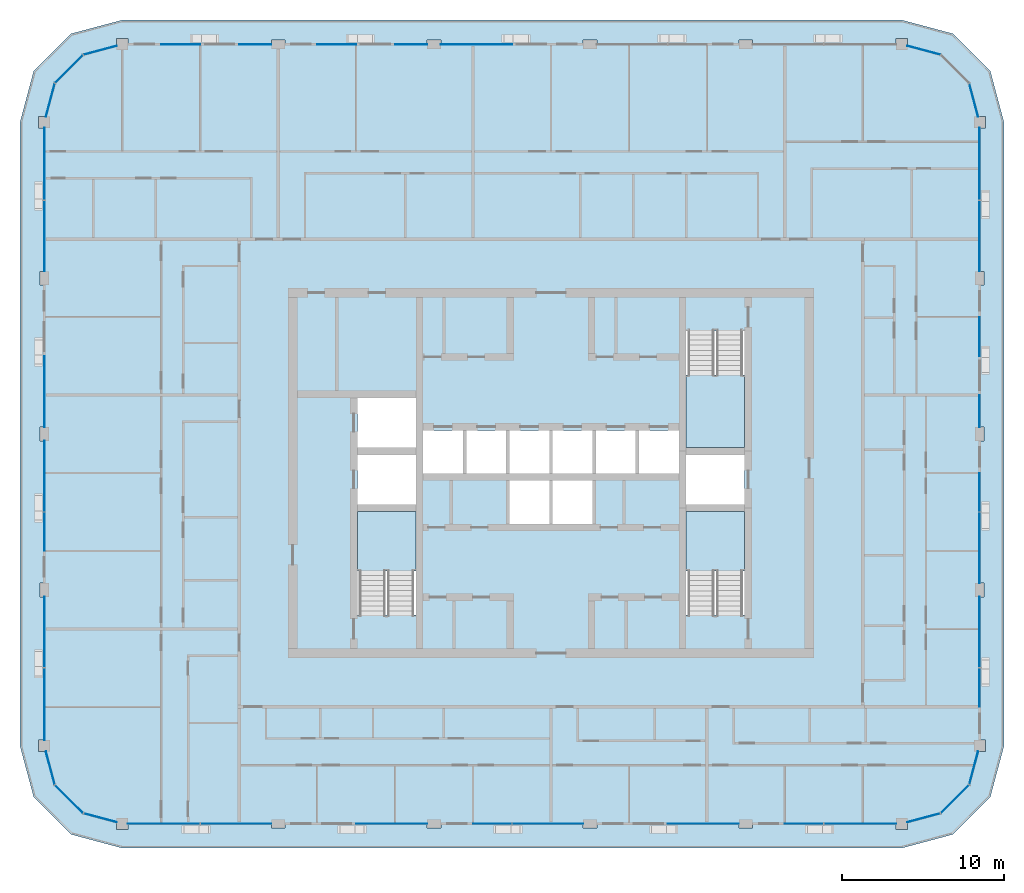
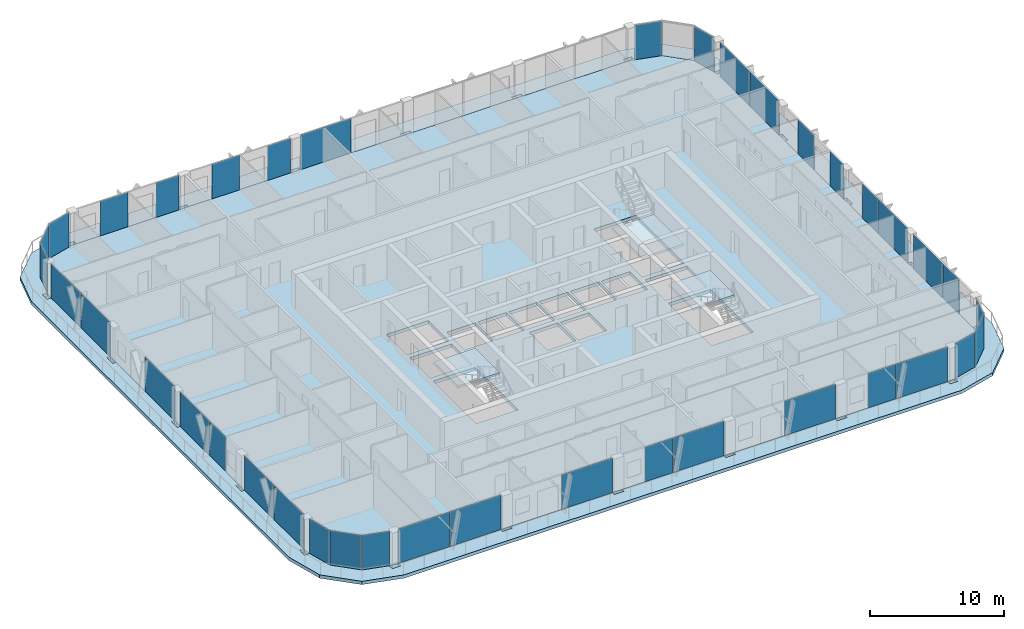
# One storey, part 7 of 21: 39 plates, 5 slabs, 23 elements without a shape of their own.
"""IFC4 building model written with IfcOpenShell, lengths in metres."""

from ifc_helpers import new_model, si_unit, direction, frame, origin, origin_2d, place, context, subcontext, project, spatial, polyline, rectangle, outline, extrude, material, layer, layer_set, type_object, element, aggregate, save


model = new_model("IFC4")

# Units and contexts
model_context = context("Model", 3, precision=1e-05, world=origin(), true_north=direction((0.0, 1.0)))
body_context = subcontext(model_context, "Body", "Model", "MODEL_VIEW")
ifc_project = project(units=[si_unit("LENGTHUNIT", "METRE"), si_unit("AREAUNIT", "SQUARE_METRE"), si_unit("VOLUMEUNIT", "CUBIC_METRE"), si_unit("PLANEANGLEUNIT", "RADIAN"), si_unit("MASSUNIT", "GRAM", prefix="KILO")], contexts=[model_context])

# Site, building, storey
site_placement = place(None, origin())
site = spatial("IfcSite", under=ifc_project, at=site_placement, CompositionType="ELEMENT")
building_placement = place(site_placement, origin())
building = spatial("IfcBuilding", under=site, at=building_placement, Name="Madar Terraces", CompositionType="ELEMENT")
storey_placement = place(building_placement, frame((0.0, 0.0, 245.699951171875)))
storey = spatial("IfcBuildingStorey", under=building, at=storey_placement, Name="L64", CompositionType="ELEMENT", Elevation=245.699951171875)

# Slabs
ifc_material_1 = material(Name="Concrete C50/60", Category="concrete")
ifc_layer_1 = layer(ifc_material_1, 0.300048828125)
ifc_layer_set_1 = layer_set([ifc_layer_1], Name="Balcony band 300")
slab_type_1 = type_object("IfcSlabType", Name="Balcony band 300", PredefinedType="FLOOR", material=ifc_layer_set_1)
slab_1_placement = place(storey_placement, frame((0.0, 0.0, -0.300048828125)))
element("IfcSlab", 1, at=slab_1_placement, inside=storey, type_object=slab_type_1, Name="Balcony band", PredefinedType="FLOOR", context=body_context, shape_type="SweptSolid", body=[
    extrude(outline(polyline([(4.800048828125, 3.300048828125), (1.64990234375, 4.14404296875), (-0.656005859375, 6.449951171875), (-1.5, 9.60009765625), (-1.5, 48.0), (-0.656005859375, 51.14990234375), (1.64990234375, 53.4560546875), (4.800048828125, 54.300048828125), (52.800048828125, 54.300048828125), (55.949951171875, 53.4560546875), (58.256103515625, 51.14990234375), (59.10009765625, 48.0), (59.10009765625, 9.60009765625), (58.256103515625, 6.449951171875), (55.949951171875, 4.14404296875), (52.800048828125, 3.300048828125), (4.800048828125, 3.300048828125)]), holes=[polyline([(5.14990234375, 4.449951171875), (5.14990234375, 4.800048828125), (13.97509765625, 4.800048828125), (13.97509765625, 4.52490234375), (14.824951171875, 4.52490234375), (14.824951171875, 4.800048828125), (23.574951171875, 4.800048828125), (23.574951171875, 4.52490234375), (24.425048828125, 4.52490234375), (24.425048828125, 4.800048828125), (33.175048828125, 4.800048828125), (33.175048828125, 4.52490234375), (34.02490234375, 4.52490234375), (34.02490234375, 4.800048828125), (42.77490234375, 4.800048828125), (42.77490234375, 4.52490234375), (43.625, 4.52490234375), (43.625, 4.800048828125), (52.449951171875, 4.800048828125), (52.449951171875, 4.449951171875), (53.14990234375, 4.449951171875), (53.14990234375, 4.893798828125), (55.199951171875, 5.443115234375), (56.956787109375, 7.199951171875), (57.506103515625, 9.25), (57.949951171875, 9.25), (57.949951171875, 9.949951171875), (57.60009765625, 9.949951171875), (57.60009765625, 18.77490234375), (57.875, 18.77490234375), (57.875, 19.625), (57.60009765625, 19.625), (57.60009765625, 28.375), (57.875, 28.375), (57.875, 29.22509765625), (57.60009765625, 29.22509765625), (57.60009765625, 37.97509765625), (57.875, 37.97509765625), (57.875, 38.824951171875), (57.60009765625, 38.824951171875), (57.60009765625, 47.64990234375), (57.949951171875, 47.64990234375), (57.949951171875, 48.35009765625), (57.506103515625, 48.35009765625), (56.956787109375, 50.39990234375), (55.199951171875, 52.156982421875), (53.14990234375, 52.706298828125), (53.14990234375, 53.14990234375), (52.449951171875, 53.14990234375), (52.449951171875, 52.800048828125), (43.625, 52.800048828125), (43.625, 53.074951171875), (42.77490234375, 53.074951171875), (42.77490234375, 52.800048828125), (34.02490234375, 52.800048828125), (34.02490234375, 53.074951171875), (33.175048828125, 53.074951171875), (33.175048828125, 52.800048828125), (24.425048828125, 52.800048828125), (24.425048828125, 53.074951171875), (23.574951171875, 53.074951171875), (23.574951171875, 52.800048828125), (14.824951171875, 52.800048828125), (14.824951171875, 53.074951171875), (13.97509765625, 53.074951171875), (13.97509765625, 52.800048828125), (5.14990234375, 52.800048828125), (5.14990234375, 53.14990234375), (4.449951171875, 53.14990234375), (4.449951171875, 52.706298828125), (2.39990234375, 52.156982421875), (0.64306640625, 50.39990234375), (0.09375, 48.35009765625), (-0.35009765625, 48.35009765625), (-0.35009765625, 47.64990234375), (0.0, 47.64990234375), (0.0, 38.824951171875), (-0.27490234375, 38.824951171875), (-0.27490234375, 37.97509765625), (0.0, 37.97509765625), (0.0, 29.22509765625), (-0.27490234375, 29.22509765625), (-0.27490234375, 28.375), (0.0, 28.375), (0.0, 19.625), (-0.27490234375, 19.625), (-0.27490234375, 18.77490234375), (0.0, 18.77490234375), (0.0, 9.949951171875), (-0.35009765625, 9.949951171875), (-0.35009765625, 9.25), (0.09375, 9.25), (0.64306640625, 7.199951171875), (2.39990234375, 5.443115234375), (4.449951171875, 4.893798828125), (4.449951171875, 4.449951171875), (5.14990234375, 4.449951171875)])]), origin(), (0.0, 0.0, 1.0), 0.300048828125),
])
ifc_material_2 = material(Name="Concrete C50/60", Category="concrete")
ifc_layer_2 = layer(ifc_material_2, 0.300048828125)
ifc_layer_set_2 = layer_set([ifc_layer_2], Name="FS2 PT flat slab 300")
slab_type_2 = type_object("IfcSlabType", Name="FS2 PT flat slab 300", PredefinedType="FLOOR", material=ifc_layer_set_2)
slab_2_placement = place(storey_placement, frame((0.0, 0.0, -0.300048828125)))
element("IfcSlab", 2, at=slab_2_placement, inside=storey, type_object=slab_type_2, Name="Floor slab L64 (1)", PredefinedType="FLOOR", context=body_context, shape_type="SweptSolid", body=[
    extrude(outline(polyline([(52.800048828125, 4.800048828125), (55.199951171875, 5.443115234375), (56.95703125, 7.199951171875), (57.60009765625, 9.60009765625), (57.60009765625, 48.0), (56.95703125, 50.39990234375), (55.199951171875, 52.156982421875), (52.800048828125, 52.800048828125), (4.800048828125, 52.800048828125), (2.39990234375, 52.156982421875), (0.64306640625, 50.39990234375), (0.0, 48.0), (0.0, 9.60009765625), (0.64306640625, 7.199951171875), (2.39990234375, 5.443115234375), (4.800048828125, 4.800048828125), (52.800048828125, 4.800048828125)]), holes=[polyline([(22.875, 17.64990234375), (19.27490234375, 17.64990234375), (19.27490234375, 24.02490234375), (22.875, 24.02490234375), (22.875, 17.64990234375)]), polyline([(28.6416015625, 23.27490234375), (28.6416015625, 25.925048828125), (31.10009765625, 25.925048828125), (31.10009765625, 23.27490234375), (28.6416015625, 23.27490234375)]), polyline([(19.27490234375, 24.47509765625), (19.27490234375, 27.52490234375), (22.875, 27.52490234375), (22.875, 24.47509765625), (19.27490234375, 24.47509765625)]), polyline([(23.324951171875, 26.375), (23.324951171875, 29.02490234375), (25.783447265625, 29.02490234375), (25.783447265625, 26.375), (23.324951171875, 26.375)]), polyline([(25.9833984375, 26.375), (25.9833984375, 29.02490234375), (28.441650390625, 29.02490234375), (28.441650390625, 26.375), (25.9833984375, 26.375)]), polyline([(28.6416015625, 26.375), (28.6416015625, 29.02490234375), (31.10009765625, 29.02490234375), (31.10009765625, 26.375), (28.6416015625, 26.375)]), polyline([(19.27490234375, 27.97509765625), (19.27490234375, 31.02490234375), (22.875, 31.02490234375), (22.875, 27.97509765625), (19.27490234375, 27.97509765625)]), polyline([(43.125, 17.64990234375), (39.52490234375, 17.64990234375), (39.52490234375, 24.02490234375), (43.125, 24.02490234375), (43.125, 17.64990234375)]), polyline([(31.300048828125, 23.27490234375), (31.300048828125, 25.925048828125), (33.75830078125, 25.925048828125), (33.75830078125, 23.27490234375), (31.300048828125, 23.27490234375)]), polyline([(39.52490234375, 24.47509765625), (39.52490234375, 27.52490234375), (43.125, 27.52490234375), (43.125, 24.47509765625), (39.52490234375, 24.47509765625)]), polyline([(31.300048828125, 26.375), (31.300048828125, 29.02490234375), (33.75830078125, 29.02490234375), (33.75830078125, 26.375), (31.300048828125, 26.375)]), polyline([(33.958251953125, 26.375), (33.958251953125, 29.02490234375), (36.416748046875, 29.02490234375), (36.416748046875, 26.375), (33.958251953125, 26.375)]), polyline([(36.61669921875, 26.375), (36.61669921875, 29.02490234375), (39.074951171875, 29.02490234375), (39.074951171875, 26.375), (36.61669921875, 26.375)]), polyline([(39.52490234375, 27.97509765625), (39.52490234375, 35.14990234375), (43.125, 35.14990234375), (43.125, 27.97509765625), (39.52490234375, 27.97509765625)])]), origin(), (0.0, 0.0, 1.0), 0.300048828125),
])

# Curtain wall, plates
ifc_material_3 = material(Name="Glass, ceramic frit dark grey, with black aluminium frame", Category="aluminium")
ifc_layer_3 = layer(ifc_material_3, 0.199951171875)
ifc_layer_set_3 = layer_set([ifc_layer_3], Name="Facade curtain wall, fritted glass")
curtain_wall_type = type_object("IfcCurtainWallType", Name="Facade curtain wall, fritted glass", PredefinedType="NOTDEFINED", material=ifc_layer_set_3)
curtain_wall_1_placement = place(storey_placement, origin())
curtain_wall_1 = element("IfcCurtainWall", 3, at=curtain_wall_1_placement, inside=storey, type_object=curtain_wall_type, Name="Outer skin curtain wall south bay 1", PredefinedType="NOTDEFINED")
ifc_material_4 = material(Name="Glass, ceramic frit dark grey", Category="glass")
ifc_layer_4 = layer(ifc_material_4, 0.028076171875)
ifc_layer_set_4 = layer_set([ifc_layer_4], Name="Facade glass panel 28")
plate_type = type_object("IfcPlateType", Name="Facade glass panel 28", PredefinedType="CURTAIN_PANEL", material=ifc_layer_set_4)
plate_1_placement = place(storey_placement, frame((7.360107421875, 4.800048828125, 0.0), z_axis=(0.0, 0.0, 1.0), x_axis=(1.0, 0.0, 0.0)))
plate_1 = element("IfcPlate", 4, at=plate_1_placement, type_object=plate_type, Name="Panel 1", PredefinedType="CURTAIN_PANEL", context=body_context, shape_type="SweptSolid", body=[
    extrude(rectangle(XDim=4.419921875, YDim=0.028076171875, at=origin_2d()), origin(), (0.0, 0.0, 1.0), 3.139892578125),
])
plate_2_placement = place(storey_placement, frame((11.802490234375, 4.800048828125, 0.0), z_axis=(0.0, 0.0, 1.0), x_axis=(1.0, 0.0, 0.0)))
plate_2 = element("IfcPlate", 5, at=plate_2_placement, type_object=plate_type, Name="Panel 2", PredefinedType="CURTAIN_PANEL", context=body_context, shape_type="SweptSolid", body=[
    extrude(rectangle(XDim=4.344970703125, YDim=0.028076171875, at=origin_2d()), origin(), (0.0, 0.0, 1.0), 3.139892578125),
])
aggregate(curtain_wall_1, [plate_1, plate_2])

# Curtain wall, plate
curtain_wall_2_placement = place(storey_placement, origin())
curtain_wall_2 = element("IfcCurtainWall", 6, at=curtain_wall_2_placement, inside=storey, type_object=curtain_wall_type, Name="Outer skin curtain wall south bay 2", PredefinedType="NOTDEFINED")
plate_3_placement = place(storey_placement, frame((21.387451171875, 4.800048828125, 0.0), z_axis=(0.0, 0.0, 1.0), x_axis=(1.0, 0.0, 0.0)))
plate_3 = element("IfcPlate", 7, at=plate_3_placement, type_object=plate_type, Name="Panel 1", PredefinedType="CURTAIN_PANEL", context=body_context, shape_type="SweptSolid", body=[
    extrude(rectangle(XDim=4.375, YDim=0.028076171875, at=origin_2d()), origin(), (0.0, 0.0, 1.0), 3.139892578125),
])
aggregate(curtain_wall_2, [plate_3])

# Curtain wall, plates
curtain_wall_3_placement = place(storey_placement, origin())
curtain_wall_3 = element("IfcCurtainWall", 8, at=curtain_wall_3_placement, inside=storey, type_object=curtain_wall_type, Name="Outer skin curtain wall south bay 3", PredefinedType="NOTDEFINED")
plate_4_placement = place(storey_placement, frame((27.5849609375, 4.800048828125, 0.0), z_axis=(0.0, 0.0, 1.0), x_axis=(1.0, 0.0, 0.0)))
plate_4 = element("IfcPlate", 9, at=plate_4_placement, type_object=plate_type, Name="Panel 1", PredefinedType="CURTAIN_PANEL", context=body_context, shape_type="SweptSolid", body=[
    extrude(rectangle(XDim=2.3701171875, YDim=0.028076171875, at=origin_2d()), origin(), (0.0, 0.0, 1.0), 3.139892578125),
])
plate_5_placement = place(storey_placement, frame((31.00244140625, 4.800048828125, 0.0), z_axis=(0.0, 0.0, 1.0), x_axis=(1.0, 0.0, 0.0)))
plate_5 = element("IfcPlate", 10, at=plate_5_placement, type_object=plate_type, Name="Panel 2", PredefinedType="CURTAIN_PANEL", context=body_context, shape_type="SweptSolid", body=[
    extrude(rectangle(XDim=4.344970703125, YDim=0.028076171875, at=origin_2d()), origin(), (0.0, 0.0, 1.0), 3.139892578125),
])
aggregate(curtain_wall_3, [plate_4, plate_5])

# Curtain wall, plate
curtain_wall_4_placement = place(storey_placement, origin())
curtain_wall_4 = element("IfcCurtainWall", 11, at=curtain_wall_4_placement, inside=storey, type_object=curtain_wall_type, Name="Outer skin curtain wall south bay 4", PredefinedType="NOTDEFINED")
plate_6_placement = place(storey_placement, frame((40.58740234375, 4.800048828125, 0.0), z_axis=(0.0, 0.0, 1.0), x_axis=(1.0, 0.0, 0.0)))
plate_6 = element("IfcPlate", 12, at=plate_6_placement, type_object=plate_type, Name="Panel 1", PredefinedType="CURTAIN_PANEL", context=body_context, shape_type="SweptSolid", body=[
    extrude(rectangle(XDim=4.375, YDim=0.028076171875, at=origin_2d()), origin(), (0.0, 0.0, 1.0), 3.139892578125),
])
aggregate(curtain_wall_4, [plate_6])

# Curtain wall, plates
curtain_wall_5_placement = place(storey_placement, origin())
curtain_wall_5 = element("IfcCurtainWall", 13, at=curtain_wall_5_placement, inside=storey, type_object=curtain_wall_type, Name="Outer skin curtain wall south bay 5", PredefinedType="NOTDEFINED")
plate_7_placement = place(storey_placement, frame((46.784912109375, 4.800048828125, 0.0), z_axis=(0.0, 0.0, 1.0), x_axis=(1.0, 0.0, 0.0)))
plate_7 = element("IfcPlate", 14, at=plate_7_placement, type_object=plate_type, Name="Panel 1", PredefinedType="CURTAIN_PANEL", context=body_context, shape_type="SweptSolid", body=[
    extrude(rectangle(XDim=2.3701171875, YDim=0.028076171875, at=origin_2d()), origin(), (0.0, 0.0, 1.0), 3.139892578125),
])
plate_8_placement = place(storey_placement, frame((50.239990234375, 4.800048828125, 0.0), z_axis=(0.0, 0.0, 1.0), x_axis=(1.0, 0.0, 0.0)))
plate_8 = element("IfcPlate", 15, at=plate_8_placement, type_object=plate_type, Name="Panel 2", PredefinedType="CURTAIN_PANEL", context=body_context, shape_type="SweptSolid", body=[
    extrude(rectangle(XDim=4.419921875, YDim=0.028076171875, at=origin_2d()), origin(), (0.0, 0.0, 1.0), 3.139892578125),
])
aggregate(curtain_wall_5, [plate_7, plate_8])

curtain_wall_6_placement = place(storey_placement, origin())
curtain_wall_6 = element("IfcCurtainWall", 16, at=curtain_wall_6_placement, inside=storey, type_object=curtain_wall_type, Name="Outer skin curtain wall east bay 1", PredefinedType="NOTDEFINED")
plate_9_placement = place(storey_placement, frame((57.60009765625, 13.18505859375, 0.0), z_axis=(0.0, 0.0, 1.0), x_axis=(0.0, 1.0, 0.0)))
plate_9 = element("IfcPlate", 17, at=plate_9_placement, type_object=plate_type, Name="Panel 1", PredefinedType="CURTAIN_PANEL", context=body_context, shape_type="SweptSolid", body=[
    extrude(rectangle(XDim=2.3701171875, YDim=0.028076171875, at=origin_2d()), origin(), (0.0, 0.0, 1.0), 3.139892578125),
])
plate_10_placement = place(storey_placement, frame((57.60009765625, 16.6025390625, 0.0), z_axis=(0.0, 0.0, 1.0), x_axis=(0.0, 1.0, 0.0)))
plate_10 = element("IfcPlate", 18, at=plate_10_placement, type_object=plate_type, Name="Panel 2", PredefinedType="CURTAIN_PANEL", context=body_context, shape_type="SweptSolid", body=[
    extrude(rectangle(XDim=4.344970703125, YDim=0.028076171875, at=origin_2d()), origin(), (0.0, 0.0, 1.0), 3.139892578125),
])
aggregate(curtain_wall_6, [plate_9, plate_10])

curtain_wall_7_placement = place(storey_placement, origin())
curtain_wall_7 = element("IfcCurtainWall", 19, at=curtain_wall_7_placement, inside=storey, type_object=curtain_wall_type, Name="Outer skin curtain wall east bay 2", PredefinedType="NOTDEFINED")
plate_11_placement = place(storey_placement, frame((57.60009765625, 21.797607421875, 0.0), z_axis=(0.0, 0.0, 1.0), x_axis=(0.0, 1.0, 0.0)))
plate_11 = element("IfcPlate", 20, at=plate_11_placement, type_object=plate_type, Name="Panel 1", PredefinedType="CURTAIN_PANEL", context=body_context, shape_type="SweptSolid", body=[
    extrude(rectangle(XDim=4.344970703125, YDim=0.028076171875, at=origin_2d()), origin(), (0.0, 0.0, 1.0), 3.139892578125),
])
plate_12_placement = place(storey_placement, frame((57.60009765625, 25.215087890625, 0.0), z_axis=(0.0, 0.0, 1.0), x_axis=(0.0, 1.0, 0.0)))
plate_12 = element("IfcPlate", 21, at=plate_12_placement, type_object=plate_type, Name="Panel 2", PredefinedType="CURTAIN_PANEL", context=body_context, shape_type="SweptSolid", body=[
    extrude(rectangle(XDim=2.3701171875, YDim=0.028076171875, at=origin_2d()), origin(), (0.0, 0.0, 1.0), 3.139892578125),
])
aggregate(curtain_wall_7, [plate_11, plate_12])

curtain_wall_8_placement = place(storey_placement, origin())
curtain_wall_8 = element("IfcCurtainWall", 22, at=curtain_wall_8_placement, inside=storey, type_object=curtain_wall_type, Name="Outer skin curtain wall east bay 3", PredefinedType="NOTDEFINED")
plate_13_placement = place(storey_placement, frame((57.60009765625, 30.21240234375, 0.0), z_axis=(0.0, 0.0, 1.0), x_axis=(0.0, 1.0, 0.0)))
plate_13 = element("IfcPlate", 23, at=plate_13_placement, type_object=plate_type, Name="Panel 1", PredefinedType="CURTAIN_PANEL", context=body_context, shape_type="SweptSolid", body=[
    extrude(rectangle(XDim=1.97509765625, YDim=0.028076171875, at=origin_2d()), origin(), (0.0, 0.0, 1.0), 3.139892578125),
])
plate_14_placement = place(storey_placement, frame((57.60009765625, 34.800048828125, 0.0), z_axis=(0.0, 0.0, 1.0), x_axis=(0.0, 1.0, 0.0)))
plate_14 = element("IfcPlate", 24, at=plate_14_placement, type_object=plate_type, Name="Panel 2", PredefinedType="CURTAIN_PANEL", context=body_context, shape_type="SweptSolid", body=[
    extrude(rectangle(XDim=2.39990234375, YDim=0.028076171875, at=origin_2d()), origin(), (0.0, 0.0, 1.0), 3.139892578125),
])
aggregate(curtain_wall_8, [plate_13, plate_14])

curtain_wall_9_placement = place(storey_placement, origin())
curtain_wall_9 = element("IfcCurtainWall", 25, at=curtain_wall_9_placement, inside=storey, type_object=curtain_wall_type, Name="Outer skin curtain wall east bay 4", PredefinedType="NOTDEFINED")
plate_15_placement = place(storey_placement, frame((57.60009765625, 40.99755859375, 0.0), z_axis=(0.0, 0.0, 1.0), x_axis=(0.0, 1.0, 0.0)))
plate_15 = element("IfcPlate", 26, at=plate_15_placement, type_object=plate_type, Name="Panel 1", PredefinedType="CURTAIN_PANEL", context=body_context, shape_type="SweptSolid", body=[
    extrude(rectangle(XDim=4.344970703125, YDim=0.028076171875, at=origin_2d()), origin(), (0.0, 0.0, 1.0), 3.139892578125),
])
plate_16_placement = place(storey_placement, frame((57.60009765625, 45.43994140625, 0.0), z_axis=(0.0, 0.0, 1.0), x_axis=(0.0, 1.0, 0.0)))
plate_16 = element("IfcPlate", 27, at=plate_16_placement, type_object=plate_type, Name="Panel 2", PredefinedType="CURTAIN_PANEL", context=body_context, shape_type="SweptSolid", body=[
    extrude(rectangle(XDim=4.419921875, YDim=0.028076171875, at=origin_2d()), origin(), (0.0, 0.0, 1.0), 3.139892578125),
])
aggregate(curtain_wall_9, [plate_15, plate_16])

# Curtain wall, plate
curtain_wall_10_placement = place(storey_placement, origin())
curtain_wall_10 = element("IfcCurtainWall", 28, at=curtain_wall_10_placement, inside=storey, type_object=curtain_wall_type, Name="Outer skin curtain wall north bay 3", PredefinedType="NOTDEFINED")
plate_17_placement = place(storey_placement, frame((26.612548828125, 52.800048828125, 0.0), z_axis=(0.0, 0.0, 1.0), x_axis=(-1.0, 0.0, 0.0)))
plate_17 = element("IfcPlate", 29, at=plate_17_placement, type_object=plate_type, Name="Panel 1", PredefinedType="CURTAIN_PANEL", context=body_context, shape_type="SweptSolid", body=[
    extrude(rectangle(XDim=4.375, YDim=0.028076171875, at=origin_2d()), origin(), (0.0, 0.0, 1.0), 3.139892578125),
])
aggregate(curtain_wall_10, [plate_17])

# Curtain wall, plates
curtain_wall_11_placement = place(storey_placement, origin())
curtain_wall_11 = element("IfcCurtainWall", 30, at=curtain_wall_11_placement, inside=storey, type_object=curtain_wall_type, Name="Outer skin curtain wall north bay 4", PredefinedType="NOTDEFINED")
plate_18_placement = place(storey_placement, frame((22.58740234375, 52.800048828125, 0.0), z_axis=(0.0, 0.0, 1.0), x_axis=(-1.0, 0.0, 0.0)))
plate_18 = element("IfcPlate", 31, at=plate_18_placement, type_object=plate_type, Name="Panel 1", PredefinedType="CURTAIN_PANEL", context=body_context, shape_type="SweptSolid", body=[
    extrude(rectangle(XDim=1.97509765625, YDim=0.028076171875, at=origin_2d()), origin(), (0.0, 0.0, 1.0), 3.139892578125),
])
plate_19_placement = place(storey_placement, frame((18.0, 52.800048828125, 0.0), z_axis=(0.0, 0.0, 1.0), x_axis=(-1.0, 0.0, 0.0)))
plate_19 = element("IfcPlate", 32, at=plate_19_placement, type_object=plate_type, Name="Panel 2", PredefinedType="CURTAIN_PANEL", context=body_context, shape_type="SweptSolid", body=[
    extrude(rectangle(XDim=2.39990234375, YDim=0.028076171875, at=origin_2d()), origin(), (0.0, 0.0, 1.0), 3.139892578125),
])
aggregate(curtain_wall_11, [plate_18, plate_19])

curtain_wall_12_placement = place(storey_placement, origin())
curtain_wall_12 = element("IfcCurtainWall", 33, at=curtain_wall_12_placement, inside=storey, type_object=curtain_wall_type, Name="Outer skin curtain wall north bay 5", PredefinedType="NOTDEFINED")
plate_20_placement = place(storey_placement, frame((12.987548828125, 52.800048828125, 0.0), z_axis=(0.0, 0.0, 1.0), x_axis=(-1.0, 0.0, 0.0)))
plate_20 = element("IfcPlate", 34, at=plate_20_placement, type_object=plate_type, Name="Panel 1", PredefinedType="CURTAIN_PANEL", context=body_context, shape_type="SweptSolid", body=[
    extrude(rectangle(XDim=1.97509765625, YDim=0.028076171875, at=origin_2d()), origin(), (0.0, 0.0, 1.0), 3.139892578125),
])
plate_21_placement = place(storey_placement, frame((8.39990234375, 52.800048828125, 0.0), z_axis=(0.0, 0.0, 1.0), x_axis=(-1.0, 0.0, 0.0)))
plate_21 = element("IfcPlate", 35, at=plate_21_placement, type_object=plate_type, Name="Panel 2", PredefinedType="CURTAIN_PANEL", context=body_context, shape_type="SweptSolid", body=[
    extrude(rectangle(XDim=2.39990234375, YDim=0.028076171875, at=origin_2d()), origin(), (0.0, 0.0, 1.0), 3.139892578125),
])
aggregate(curtain_wall_12, [plate_20, plate_21])

curtain_wall_13_placement = place(storey_placement, origin())
curtain_wall_13 = element("IfcCurtainWall", 36, at=curtain_wall_13_placement, inside=storey, type_object=curtain_wall_type, Name="Outer skin curtain wall west bay 1", PredefinedType="NOTDEFINED")
plate_22_placement = place(storey_placement, frame((0.0, 45.43994140625, 0.0), z_axis=(0.0, 0.0, 1.0), x_axis=(0.0, -1.0, 0.0)))
plate_22 = element("IfcPlate", 37, at=plate_22_placement, type_object=plate_type, Name="Panel 1", PredefinedType="CURTAIN_PANEL", context=body_context, shape_type="SweptSolid", body=[
    extrude(rectangle(XDim=4.419921875, YDim=0.028076171875, at=origin_2d()), origin(), (0.0, 0.0, 1.0), 3.139892578125),
])
plate_23_placement = place(storey_placement, frame((0.0, 40.99755859375, 0.0), z_axis=(0.0, 0.0, 1.0), x_axis=(0.0, -1.0, 0.0)))
plate_23 = element("IfcPlate", 38, at=plate_23_placement, type_object=plate_type, Name="Panel 2", PredefinedType="CURTAIN_PANEL", context=body_context, shape_type="SweptSolid", body=[
    extrude(rectangle(XDim=4.344970703125, YDim=0.028076171875, at=origin_2d()), origin(), (0.0, 0.0, 1.0), 3.139892578125),
])
aggregate(curtain_wall_13, [plate_22, plate_23])

# Curtain wall, plate
curtain_wall_14_placement = place(storey_placement, origin())
curtain_wall_14 = element("IfcCurtainWall", 39, at=curtain_wall_14_placement, inside=storey, type_object=curtain_wall_type, Name="Outer skin curtain wall west bay 2", PredefinedType="NOTDEFINED")
plate_24_placement = place(storey_placement, frame((0.0, 31.41259765625, 0.0), z_axis=(0.0, 0.0, 1.0), x_axis=(0.0, -1.0, 0.0)))
plate_24 = element("IfcPlate", 40, at=plate_24_placement, type_object=plate_type, Name="Panel 1", PredefinedType="CURTAIN_PANEL", context=body_context, shape_type="SweptSolid", body=[
    extrude(rectangle(XDim=4.375, YDim=0.028076171875, at=origin_2d()), origin(), (0.0, 0.0, 1.0), 3.139892578125),
])
aggregate(curtain_wall_14, [plate_24])

# Curtain wall, plates
curtain_wall_15_placement = place(storey_placement, origin())
curtain_wall_15 = element("IfcCurtainWall", 41, at=curtain_wall_15_placement, inside=storey, type_object=curtain_wall_type, Name="Outer skin curtain wall west bay 3", PredefinedType="NOTDEFINED")
plate_25_placement = place(storey_placement, frame((0.0, 26.202392578125, 0.0), z_axis=(0.0, 0.0, 1.0), x_axis=(0.0, -1.0, 0.0)))
plate_25 = element("IfcPlate", 42, at=plate_25_placement, type_object=plate_type, Name="Panel 1", PredefinedType="CURTAIN_PANEL", context=body_context, shape_type="SweptSolid", body=[
    extrude(rectangle(XDim=4.344970703125, YDim=0.028076171875, at=origin_2d()), origin(), (0.0, 0.0, 1.0), 3.139892578125),
])
plate_26_placement = place(storey_placement, frame((0.0, 22.784912109375, 0.0), z_axis=(0.0, 0.0, 1.0), x_axis=(0.0, -1.0, 0.0)))
plate_26 = element("IfcPlate", 43, at=plate_26_placement, type_object=plate_type, Name="Panel 2", PredefinedType="CURTAIN_PANEL", context=body_context, shape_type="SweptSolid", body=[
    extrude(rectangle(XDim=2.3701171875, YDim=0.028076171875, at=origin_2d()), origin(), (0.0, 0.0, 1.0), 3.139892578125),
])
aggregate(curtain_wall_15, [plate_25, plate_26])

curtain_wall_16_placement = place(storey_placement, origin())
curtain_wall_16 = element("IfcCurtainWall", 44, at=curtain_wall_16_placement, inside=storey, type_object=curtain_wall_type, Name="Outer skin curtain wall west bay 4", PredefinedType="NOTDEFINED")
plate_27_placement = place(storey_placement, frame((0.0, 16.6025390625, 0.0), z_axis=(0.0, 0.0, 1.0), x_axis=(0.0, -1.0, 0.0)))
plate_27 = element("IfcPlate", 45, at=plate_27_placement, type_object=plate_type, Name="Panel 1", PredefinedType="CURTAIN_PANEL", context=body_context, shape_type="SweptSolid", body=[
    extrude(rectangle(XDim=4.344970703125, YDim=0.028076171875, at=origin_2d()), origin(), (0.0, 0.0, 1.0), 3.139892578125),
])
plate_28_placement = place(storey_placement, frame((0.0, 12.159912109375, 0.0), z_axis=(0.0, 0.0, 1.0), x_axis=(0.0, -1.0, 0.0)))
plate_28 = element("IfcPlate", 46, at=plate_28_placement, type_object=plate_type, Name="Panel 2", PredefinedType="CURTAIN_PANEL", context=body_context, shape_type="SweptSolid", body=[
    extrude(rectangle(XDim=4.419921875, YDim=0.028076171875, at=origin_2d()), origin(), (0.0, 0.0, 1.0), 3.139892578125),
])
aggregate(curtain_wall_16, [plate_27, plate_28])

curtain_wall_17_placement = place(storey_placement, origin())
curtain_wall_17 = element("IfcCurtainWall", 47, at=curtain_wall_17_placement, inside=storey, type_object=curtain_wall_type, Name="Outer skin curtain wall south-east corner", PredefinedType="NOTDEFINED")
plate_29_placement = place(storey_placement, frame((54.160400390625, 5.16455078125, 0.0), z_axis=(0.0, 0.0, 1.0), x_axis=(0.965925832509, 0.258819021888, 0.0)))
plate_29 = element("IfcPlate", 48, at=plate_29_placement, type_object=plate_type, Name="Panel 1", PredefinedType="CURTAIN_PANEL", context=body_context, shape_type="SweptSolid", body=[
    extrude(rectangle(XDim=2.09228515625, YDim=0.028076171875, at=origin_2d()), origin(), (0.0, 0.0, 1.0), 3.139892578125),
])
plate_30_placement = place(storey_placement, frame((56.078369140625, 6.321533203125, 0.0), z_axis=(0.0, 0.0, 1.0), x_axis=(0.707106781187, 0.707106781187, 0.0)))
plate_30 = element("IfcPlate", 49, at=plate_30_placement, type_object=plate_type, Name="Panel 2", PredefinedType="CURTAIN_PANEL", context=body_context, shape_type="SweptSolid", body=[
    extrude(rectangle(XDim=2.424560546875, YDim=0.028076171875, at=origin_2d()), origin(), (0.0, 0.0, 1.0), 3.139892578125),
])
plate_31_placement = place(storey_placement, frame((57.2353515625, 8.239501953125, 0.0), z_axis=(0.0, 0.0, 1.0), x_axis=(0.258819021888, 0.965925832509, 0.0)))
plate_31 = element("IfcPlate", 50, at=plate_31_placement, type_object=plate_type, Name="Panel 3", PredefinedType="CURTAIN_PANEL", context=body_context, shape_type="SweptSolid", body=[
    extrude(rectangle(XDim=2.09228515625, YDim=0.028076171875, at=origin_2d()), origin(), (0.0, 0.0, 1.0), 3.139892578125),
])
aggregate(curtain_wall_17, [plate_29, plate_30, plate_31])

curtain_wall_18_placement = place(storey_placement, origin())
curtain_wall_18 = element("IfcCurtainWall", 51, at=curtain_wall_18_placement, inside=storey, type_object=curtain_wall_type, Name="Outer skin curtain wall north-east corner", PredefinedType="NOTDEFINED")
plate_32_placement = place(storey_placement, frame((57.2353515625, 49.360595703125, 0.0), z_axis=(0.0, 0.0, 1.0), x_axis=(-0.258819021888, 0.965925832509, 0.0)))
plate_32 = element("IfcPlate", 52, at=plate_32_placement, type_object=plate_type, Name="Panel 1", PredefinedType="CURTAIN_PANEL", context=body_context, shape_type="SweptSolid", body=[
    extrude(rectangle(XDim=2.09228515625, YDim=0.028076171875, at=origin_2d()), origin(), (0.0, 0.0, 1.0), 3.139892578125),
])
plate_33_placement = place(storey_placement, frame((54.160400390625, 52.435546875, 0.0), z_axis=(0.0, 0.0, 1.0), x_axis=(-0.965925832509, 0.258819021888, 0.0)))
plate_33 = element("IfcPlate", 53, at=plate_33_placement, type_object=plate_type, Name="Panel 3", PredefinedType="CURTAIN_PANEL", context=body_context, shape_type="SweptSolid", body=[
    extrude(rectangle(XDim=2.09228515625, YDim=0.028076171875, at=origin_2d()), origin(), (0.0, 0.0, 1.0), 3.139892578125),
])
aggregate(curtain_wall_18, [plate_32, plate_33])

curtain_wall_19_placement = place(storey_placement, origin())
curtain_wall_19 = element("IfcCurtainWall", 54, at=curtain_wall_19_placement, inside=storey, type_object=curtain_wall_type, Name="Outer skin curtain wall north-west corner", PredefinedType="NOTDEFINED")
plate_34_placement = place(storey_placement, frame((3.439453125, 52.435546875, 0.0), z_axis=(0.0, 0.0, 1.0), x_axis=(-0.965925832509, -0.258819021888, 0.0)))
plate_34 = element("IfcPlate", 55, at=plate_34_placement, type_object=plate_type, Name="Panel 1", PredefinedType="CURTAIN_PANEL", context=body_context, shape_type="SweptSolid", body=[
    extrude(rectangle(XDim=2.09228515625, YDim=0.028076171875, at=origin_2d()), origin(), (0.0, 0.0, 1.0), 3.139892578125),
])
plate_35_placement = place(storey_placement, frame((1.521484375, 51.278564453125, 0.0), z_axis=(0.0, 0.0, 1.0), x_axis=(-0.707106781187, -0.707106781187, 0.0)))
plate_35 = element("IfcPlate", 56, at=plate_35_placement, type_object=plate_type, Name="Panel 2", PredefinedType="CURTAIN_PANEL", context=body_context, shape_type="SweptSolid", body=[
    extrude(rectangle(XDim=2.424560546875, YDim=0.028076171875, at=origin_2d()), origin(), (0.0, 0.0, 1.0), 3.139892578125),
])
plate_36_placement = place(storey_placement, frame((0.364501953125, 49.360595703125, 0.0), z_axis=(0.0, 0.0, 1.0), x_axis=(-0.258819021888, -0.965925832509, 0.0)))
plate_36 = element("IfcPlate", 57, at=plate_36_placement, type_object=plate_type, Name="Panel 3", PredefinedType="CURTAIN_PANEL", context=body_context, shape_type="SweptSolid", body=[
    extrude(rectangle(XDim=2.09228515625, YDim=0.028076171875, at=origin_2d()), origin(), (0.0, 0.0, 1.0), 3.139892578125),
])
aggregate(curtain_wall_19, [plate_34, plate_35, plate_36])

curtain_wall_20_placement = place(storey_placement, origin())
curtain_wall_20 = element("IfcCurtainWall", 58, at=curtain_wall_20_placement, inside=storey, type_object=curtain_wall_type, Name="Outer skin curtain wall south-west corner", PredefinedType="NOTDEFINED")
plate_37_placement = place(storey_placement, frame((0.364501953125, 8.239501953125, 0.0), z_axis=(0.0, 0.0, 1.0), x_axis=(0.258819021888, -0.965925832509, 0.0)))
plate_37 = element("IfcPlate", 59, at=plate_37_placement, type_object=plate_type, Name="Panel 1", PredefinedType="CURTAIN_PANEL", context=body_context, shape_type="SweptSolid", body=[
    extrude(rectangle(XDim=2.09228515625, YDim=0.028076171875, at=origin_2d()), origin(), (0.0, 0.0, 1.0), 3.139892578125),
])
plate_38_placement = place(storey_placement, frame((1.521484375, 6.321533203125, 0.0), z_axis=(0.0, 0.0, 1.0), x_axis=(0.707106781187, -0.707106781187, 0.0)))
plate_38 = element("IfcPlate", 60, at=plate_38_placement, type_object=plate_type, Name="Panel 2", PredefinedType="CURTAIN_PANEL", context=body_context, shape_type="SweptSolid", body=[
    extrude(rectangle(XDim=2.424560546875, YDim=0.028076171875, at=origin_2d()), origin(), (0.0, 0.0, 1.0), 3.139892578125),
])
plate_39_placement = place(storey_placement, frame((3.439453125, 5.16455078125, 0.0), z_axis=(0.0, 0.0, 1.0), x_axis=(0.965925832509, -0.258819021888, 0.0)))
plate_39 = element("IfcPlate", 61, at=plate_39_placement, type_object=plate_type, Name="Panel 3", PredefinedType="CURTAIN_PANEL", context=body_context, shape_type="SweptSolid", body=[
    extrude(rectangle(XDim=2.09228515625, YDim=0.028076171875, at=origin_2d()), origin(), (0.0, 0.0, 1.0), 3.139892578125),
])
aggregate(curtain_wall_20, [plate_37, plate_38, plate_39])

# Stair, slab
ifc_material_5 = material(Name="Concrete C50/60", Category="concrete")
stair_type_1 = type_object("IfcStairType", Name="Stair ST1 protected exit", PredefinedType="HALF_TURN_STAIR", material=ifc_material_5)
stair_1_placement = place(storey_placement, origin())
stair_1 = element("IfcStair", 62, at=stair_1_placement, inside=storey, type_object=stair_type_1, Name="L64 Protected Exit Stair ST1", PredefinedType="HALF_TURN_STAIR")
ifc_material_6 = material(Name="Concrete C50/60", Category="concrete")
ifc_layer_5 = layer(ifc_material_6, 0.199951171875)
ifc_layer_set_5 = layer_set([ifc_layer_5], Name="Stair landing 200, top +1.75")
slab_type_3 = type_object("IfcSlabType", Name="Stair landing 200, top +1.75", PredefinedType="LANDING", material=ifc_layer_set_5)
slab_3_placement = place(storey_placement, frame((0.0, 0.0, 1.550048828125)))
slab_3 = element("IfcSlab", 63, at=slab_3_placement, type_object=slab_type_3, Name="ST1 landing 1", PredefinedType="LANDING", context=body_context, shape_type="SweptSolid", body=[
    extrude(outline(polyline([(19.27490234375, 20.360107421875), (22.875, 20.360107421875), (22.875, 24.02490234375), (19.27490234375, 24.02490234375), (19.27490234375, 20.360107421875)])), origin(), (0.0, 0.0, 1.0), 0.199951171875),
])
aggregate(stair_1, [slab_3])

ifc_material_7 = material(Name="Concrete C50/60", Category="concrete")
stair_type_2 = type_object("IfcStairType", Name="Stair ST2 protected exit", PredefinedType="HALF_TURN_STAIR", material=ifc_material_7)
stair_2_placement = place(storey_placement, origin())
stair_2 = element("IfcStair", 64, at=stair_2_placement, inside=storey, type_object=stair_type_2, Name="L64 Protected Exit Stair ST2", PredefinedType="HALF_TURN_STAIR")
slab_4_placement = place(storey_placement, frame((0.0, 0.0, 1.550048828125)))
slab_4 = element("IfcSlab", 65, at=slab_4_placement, type_object=slab_type_3, Name="ST2 landing 1", PredefinedType="LANDING", context=body_context, shape_type="SweptSolid", body=[
    extrude(outline(polyline([(39.52490234375, 27.97509765625), (43.125, 27.97509765625), (43.125, 32.43994140625), (39.52490234375, 32.43994140625), (39.52490234375, 27.97509765625)])), origin(), (0.0, 0.0, 1.0), 0.199951171875),
])
aggregate(stair_2, [slab_4])

ifc_material_8 = material(Name="Concrete C50/60", Category="concrete")
stair_type_3 = type_object("IfcStairType", Name="Stair ST3 protected exit", PredefinedType="HALF_TURN_STAIR", material=ifc_material_8)
stair_3_placement = place(storey_placement, origin())
stair_3 = element("IfcStair", 66, at=stair_3_placement, inside=storey, type_object=stair_type_3, Name="L64 Protected Exit Stair ST3", PredefinedType="HALF_TURN_STAIR")
slab_5_placement = place(storey_placement, frame((0.0, 0.0, 1.550048828125)))
slab_5 = element("IfcSlab", 67, at=slab_5_placement, type_object=slab_type_3, Name="ST3 landing 1", PredefinedType="LANDING", context=body_context, shape_type="SweptSolid", body=[
    extrude(outline(polyline([(39.52490234375, 20.360107421875), (43.125, 20.360107421875), (43.125, 24.02490234375), (39.52490234375, 24.02490234375), (39.52490234375, 20.360107421875)])), origin(), (0.0, 0.0, 1.0), 0.199951171875),
])
aggregate(stair_3, [slab_5])

save(model, "model.ifc")
